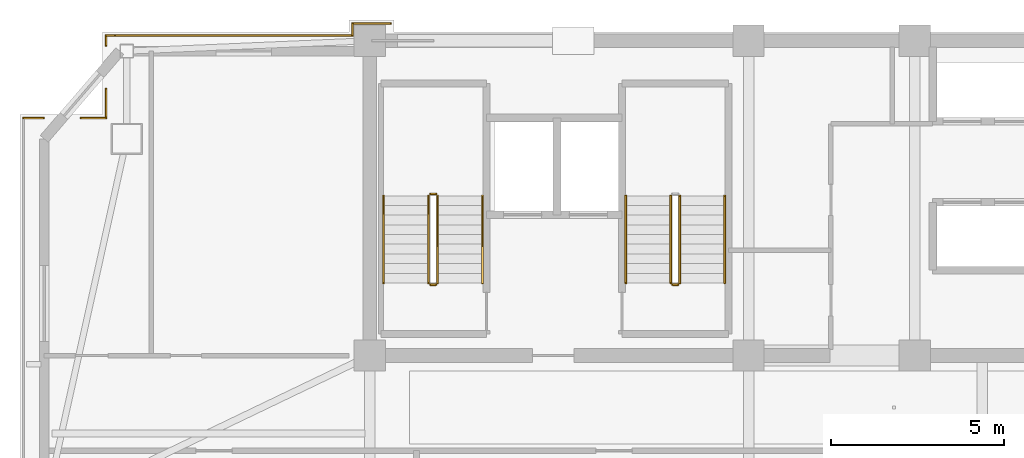
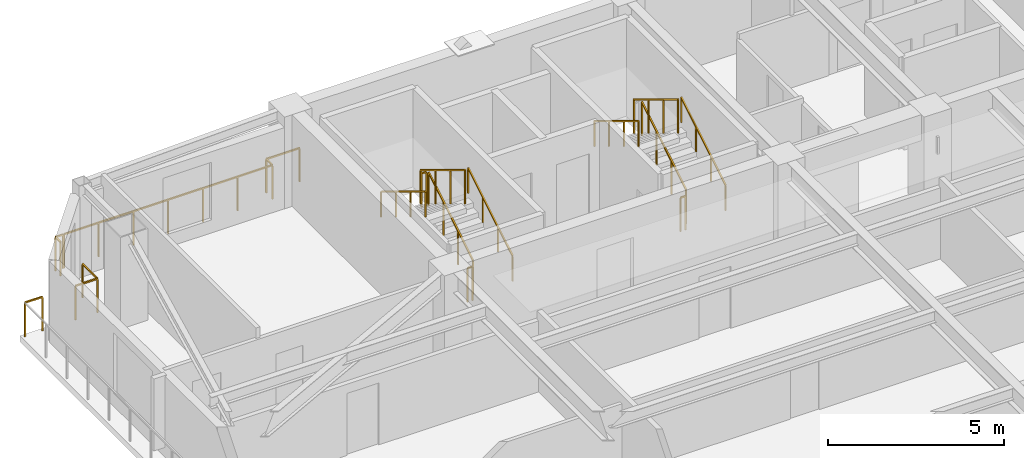
# One storey, part 11 of 13: 19 railings.
"""IFC4 building model written with IfcOpenShell, lengths in metres."""

from ifc_helpers import new_model, si_unit, direction, frame, origin, origin_2d, place, context, subcontext, project, spatial, rectangle, extrude, material, type_object, element, save


model = new_model("IFC4")

# Units and contexts
model_context = context("Model", 3, precision=1e-05, world=origin(), true_north=direction((0.0, 1.0)))
body_context = subcontext(model_context, "Body", "Model", "MODEL_VIEW")
ifc_project = project(units=[si_unit("LENGTHUNIT", "METRE"), si_unit("AREAUNIT", "SQUARE_METRE"), si_unit("VOLUMEUNIT", "CUBIC_METRE"), si_unit("PLANEANGLEUNIT", "RADIAN"), si_unit("MASSUNIT", "GRAM", prefix="KILO")], contexts=[model_context])

# Site, building, storey
site_placement = place(None, origin())
site = spatial("IfcSite", under=ifc_project, at=site_placement, CompositionType="ELEMENT")
building_placement = place(site_placement, origin())
building = spatial("IfcBuilding", under=site, at=building_placement, Name="Giltprow Tower", CompositionType="ELEMENT")
storey_placement = place(building_placement, frame((0.0, 0.0, 304.0)))
storey = spatial("IfcBuildingStorey", under=building, at=storey_placement, Name="L78", CompositionType="ELEMENT", Elevation=304.0)

# Railings
ifc_material = material(Name="Anodized bronze", Category="metal")
railing_type_1 = type_object("IfcRailingType", Name="RAIL-BALC-GUARD-1200", PredefinedType="BALUSTRADE", material=ifc_material)
railing_1_placement = place(storey_placement, frame((9.840087890625, 44.31494140625, 0.0)))
element("IfcRailing", 1, at=railing_1_placement, inside=storey, type_object=railing_type_1, Name="L78 Corner Apron Edge Balustrade 14", PredefinedType="BALUSTRADE", context=body_context, shape_type="SweptSolid", body=[
    extrude(rectangle(XDim=0.048095703125, YDim=0.048095703125, at=origin_2d()), frame((0.0, 0.0, 1.17578125), z_axis=(1.0, 0.0, 0.0), x_axis=(0.0, 1.0, 0.0)), (0.0, 0.0, 1.0), 0.575927734375),
    extrude(rectangle(XDim=0.0419921875, YDim=0.0419921875, at=origin_2d()), origin(), (0.0, 0.0, 1.0), 1.15185546875),
    extrude(rectangle(XDim=0.0419921875, YDim=0.0419921875, at=origin_2d()), frame((0.575927734375, 0.0, 0.0)), (0.0, 0.0, 1.0), 1.15185546875),
])
railing_2_placement = place(storey_placement, frame((11.498046875, 44.31494140625, 0.0)))
element("IfcRailing", 2, at=railing_2_placement, inside=storey, type_object=railing_type_1, Name="L78 Corner Apron Edge Balustrade 15", PredefinedType="BALUSTRADE", context=body_context, shape_type="SweptSolid", body=[
    extrude(rectangle(XDim=0.048095703125, YDim=0.048095703125, at=origin_2d()), frame((0.0, 0.0, 1.17578125), z_axis=(1.0, 0.0, 0.0), x_axis=(0.0, 1.0, 0.0)), (0.0, 0.0, 1.0), 0.72705078125),
    extrude(rectangle(XDim=0.0419921875, YDim=0.0419921875, at=origin_2d()), origin(), (0.0, 0.0, 1.0), 1.15185546875),
    extrude(rectangle(XDim=0.0419921875, YDim=0.0419921875, at=origin_2d()), frame((0.72705078125, 0.0, 0.0)), (0.0, 0.0, 1.0), 1.15185546875),
])
railing_3_placement = place(storey_placement, frame((12.22509765625, 44.31494140625, 0.0)))
element("IfcRailing", 3, at=railing_3_placement, inside=storey, type_object=railing_type_1, Name="L78 Corner Apron Edge Balustrade 16", PredefinedType="BALUSTRADE", context=body_context, shape_type="SweptSolid", body=[
    extrude(rectangle(XDim=0.048095703125, YDim=0.048095703125, at=origin_2d()), frame((0.0, 0.0, 1.17578125), z_axis=(0.0, 1.0, 0.0), x_axis=(-1.0, 0.0, 0.0)), (0.0, 0.0, 1.0), 0.843017578125),
    extrude(rectangle(XDim=0.0419921875, YDim=0.0419921875, at=origin_2d()), origin(), (0.0, 0.0, 1.0), 1.15185546875),
    extrude(rectangle(XDim=0.0419921875, YDim=0.0419921875, at=origin_2d()), frame((0.0, 0.843017578125, 0.0)), (0.0, 0.0, 1.0), 1.15185546875),
])
railing_4_placement = place(storey_placement, frame((12.22509765625, 46.4140625, 0.0)))
element("IfcRailing", 4, at=railing_4_placement, inside=storey, type_object=railing_type_1, Name="L78 Corner Apron Edge Balustrade 17", PredefinedType="BALUSTRADE", context=body_context, shape_type="SweptSolid", body=[
    extrude(rectangle(XDim=0.048095703125, YDim=0.048095703125, at=origin_2d()), frame((0.0, 0.0, 1.17578125), z_axis=(0.0, 1.0, 0.0), x_axis=(-1.0, 0.0, 0.0)), (0.0, 0.0, 1.0), 0.285888671875),
    extrude(rectangle(XDim=0.0419921875, YDim=0.0419921875, at=origin_2d()), origin(), (0.0, 0.0, 1.0), 1.15185546875),
    extrude(rectangle(XDim=0.0419921875, YDim=0.0419921875, at=origin_2d()), frame((0.0, 0.285888671875, 0.0)), (0.0, 0.0, 1.0), 1.15185546875),
])
railing_5_placement = place(storey_placement, frame((12.22509765625, 46.699951171875, 0.0)))
element("IfcRailing", 5, at=railing_5_placement, inside=storey, type_object=railing_type_1, Name="L78 Corner Apron Edge Balustrade 18", PredefinedType="BALUSTRADE", context=body_context, shape_type="SweptSolid", body=[
    extrude(rectangle(XDim=0.048095703125, YDim=0.048095703125, at=origin_2d()), frame((0.0, 0.0, 1.17578125), z_axis=(1.0, 0.0, 0.0), x_axis=(0.0, 1.0, 0.0)), (0.0, 0.0, 1.0), 0.246826171875),
    extrude(rectangle(XDim=0.0419921875, YDim=0.0419921875, at=origin_2d()), origin(), (0.0, 0.0, 1.0), 1.15185546875),
    extrude(rectangle(XDim=0.0419921875, YDim=0.0419921875, at=origin_2d()), frame((0.246826171875, 0.0, 0.0)), (0.0, 0.0, 1.0), 1.15185546875),
])
railing_6_placement = place(storey_placement, frame((12.5009765625, 46.699951171875, 0.0)))
element("IfcRailing", 6, at=railing_6_placement, inside=storey, type_object=railing_type_1, Name="L78 Corner Apron Edge Balustrade 19", PredefinedType="BALUSTRADE", context=body_context, shape_type="SweptSolid", body=[
    extrude(rectangle(XDim=0.048095703125, YDim=0.048095703125, at=origin_2d()), frame((0.0, 0.0, 1.17578125), z_axis=(1.0, 0.0, 0.0), x_axis=(0.0, 1.0, 0.0)), (0.0, 0.0, 1.0), 6.84912109375),
    extrude(rectangle(XDim=0.0419921875, YDim=0.0419921875, at=origin_2d()), origin(), (0.0, 0.0, 1.0), 1.15185546875),
    extrude(rectangle(XDim=0.0419921875, YDim=0.0419921875, at=origin_2d()), frame((1.1416015625, 0.0, 0.0)), (0.0, 0.0, 1.0), 1.15185546875),
    extrude(rectangle(XDim=0.0419921875, YDim=0.0419921875, at=origin_2d()), frame((2.282958984375, 0.0, 0.0)), (0.0, 0.0, 1.0), 1.15185546875),
    extrude(rectangle(XDim=0.0419921875, YDim=0.0419921875, at=origin_2d()), frame((3.424560546875, 0.0, 0.0)), (0.0, 0.0, 1.0), 1.15185546875),
    extrude(rectangle(XDim=0.0419921875, YDim=0.0419921875, at=origin_2d()), frame((4.566162109375, 0.0, 0.0)), (0.0, 0.0, 1.0), 1.15185546875),
    extrude(rectangle(XDim=0.0419921875, YDim=0.0419921875, at=origin_2d()), frame((5.70751953125, 0.0, 0.0)), (0.0, 0.0, 1.0), 1.15185546875),
    extrude(rectangle(XDim=0.0419921875, YDim=0.0419921875, at=origin_2d()), frame((6.84912109375, 0.0, 0.0)), (0.0, 0.0, 1.0), 1.15185546875),
])
railing_7_placement = place(storey_placement, frame((19.35009765625, 46.699951171875, 0.0)))
element("IfcRailing", 7, at=railing_7_placement, inside=storey, type_object=railing_type_1, Name="L78 Corner Apron Edge Balustrade 20", PredefinedType="BALUSTRADE", context=body_context, shape_type="SweptSolid", body=[
    extrude(rectangle(XDim=0.048095703125, YDim=0.048095703125, at=origin_2d()), frame((0.0, 0.0, 1.17578125), z_axis=(0.0, 1.0, 0.0), x_axis=(-1.0, 0.0, 0.0)), (0.0, 0.0, 1.0), 0.35009765625),
    extrude(rectangle(XDim=0.0419921875, YDim=0.0419921875, at=origin_2d()), origin(), (0.0, 0.0, 1.0), 1.15185546875),
    extrude(rectangle(XDim=0.0419921875, YDim=0.0419921875, at=origin_2d()), frame((0.0, 0.35009765625, 0.0)), (0.0, 0.0, 1.0), 1.15185546875),
])
railing_8_placement = place(storey_placement, frame((19.35009765625, 47.050048828125, 0.0)))
element("IfcRailing", 8, at=railing_8_placement, inside=storey, type_object=railing_type_1, Name="L78 Corner Apron Edge Balustrade 21", PredefinedType="BALUSTRADE", context=body_context, shape_type="SweptSolid", body=[
    extrude(rectangle(XDim=0.048095703125, YDim=0.048095703125, at=origin_2d()), frame((0.0, 0.0, 1.17578125), z_axis=(1.0, 0.0, 0.0), x_axis=(0.0, 1.0, 0.0)), (0.0, 0.0, 1.0), 1.099853515625),
    extrude(rectangle(XDim=0.0419921875, YDim=0.0419921875, at=origin_2d()), origin(), (0.0, 0.0, 1.0), 1.15185546875),
    extrude(rectangle(XDim=0.0419921875, YDim=0.0419921875, at=origin_2d()), frame((1.099853515625, 0.0, 0.0)), (0.0, 0.0, 1.0), 1.15185546875),
])
railing_type_2 = type_object("IfcRailingType", Name="RAIL-STAIR-GUARD-1200", PredefinedType="GUARDRAIL", material=ifc_material)
railing_9_placement = place(storey_placement, frame((21.81005859375, 39.550048828125, 0.169921875)))
element("IfcRailing", 9, at=railing_9_placement, inside=storey, type_object=railing_type_2, Name="L78 ST-1 stair guard 1", PredefinedType="GUARDRAIL", context=body_context, shape_type="SweptSolid", body=[
    extrude(rectangle(XDim=0.048095703125, YDim=0.048095703125, at=origin_2d()), frame((0.0, 0.0, 1.17578125), z_axis=(0.0, 0.85478489116, 0.518982456201), x_axis=(-1.0, 0.0, 0.0)), (0.0, 0.0, 1.0), 2.9482421875),
    extrude(rectangle(XDim=0.0419921875, YDim=0.0419921875, at=origin_2d()), origin(), (0.0, 0.0, 1.0), 1.15185546875),
    extrude(rectangle(XDim=0.0419921875, YDim=0.0419921875, at=origin_2d()), frame((0.0, 0.840087890625, 0.510009765625)), (0.0, 0.0, 1.0), 1.15185546875),
    extrude(rectangle(XDim=0.0419921875, YDim=0.0419921875, at=origin_2d()), frame((0.0, 1.679931640625, 1.02001953125)), (0.0, 0.0, 1.0), 1.15185546875),
    extrude(rectangle(XDim=0.0419921875, YDim=0.0419921875, at=origin_2d()), frame((0.0, 2.52001953125, 1.530029296875)), (0.0, 0.0, 1.0), 1.15185546875),
])
railing_10_placement = place(storey_placement, frame((21.760009765625, 42.1201171875, 1.699951171875)))
element("IfcRailing", 10, at=railing_10_placement, inside=storey, type_object=railing_type_2, Name="L78 ST-1 stair guard 2", PredefinedType="GUARDRAIL", context=body_context, shape_type="SweptSolid", body=[
    extrude(rectangle(XDim=0.048095703125, YDim=0.048095703125, at=origin_2d()), frame((0.0, 0.0, 1.17578125), z_axis=(-1.0, 0.0, 0.0), x_axis=(0.0, -1.0, 0.0)), (0.0, 0.0, 1.0), 0.159912109375),
    extrude(rectangle(XDim=0.0419921875, YDim=0.0419921875, at=origin_2d()), origin(), (0.0, 0.0, 1.0), 1.15185546875),
    extrude(rectangle(XDim=0.0419921875, YDim=0.0419921875, at=origin_2d()), frame((-0.159912109375, 0.0, 0.0)), (0.0, 0.0, 1.0), 1.15185546875),
])
railing_11_placement = place(storey_placement, frame((21.550048828125, 42.070068359375, 1.8701171875)))
element("IfcRailing", 11, at=railing_11_placement, inside=storey, type_object=railing_type_2, Name="L78 ST-1 stair guard 3", PredefinedType="GUARDRAIL", context=body_context, shape_type="SweptSolid", body=[
    extrude(rectangle(XDim=0.048095703125, YDim=0.048095703125, at=origin_2d()), frame((0.0, 0.0, 1.17578125), z_axis=(0.0, -0.854821627497, 0.518921945155), x_axis=(1.0, 0.0, 0.0)), (0.0, 0.0, 1.0), 2.947998046875),
    extrude(rectangle(XDim=0.0419921875, YDim=0.0419921875, at=origin_2d()), origin(), (0.0, 0.0, 1.0), 1.15185546875),
    extrude(rectangle(XDim=0.0419921875, YDim=0.0419921875, at=origin_2d()), frame((0.0, -0.840087890625, 0.510009765625)), (0.0, 0.0, 1.0), 1.15185546875),
    extrude(rectangle(XDim=0.0419921875, YDim=0.0419921875, at=origin_2d()), frame((0.0, -1.679931640625, 1.019775390625)), (0.0, 0.0, 1.0), 1.15185546875),
    extrude(rectangle(XDim=0.0419921875, YDim=0.0419921875, at=origin_2d()), frame((0.0, -2.52001953125, 1.52978515625)), (0.0, 0.0, 1.0), 1.15185546875),
])
railing_12_placement = place(storey_placement, frame((21.760009765625, 39.5, 0.0)))
element("IfcRailing", 12, at=railing_12_placement, inside=storey, type_object=railing_type_2, Name="L78 ST-1 stair guard 4", PredefinedType="GUARDRAIL", context=body_context, shape_type="SweptSolid", body=[
    extrude(rectangle(XDim=0.048095703125, YDim=0.048095703125, at=origin_2d()), frame((0.0, 0.0, 1.17578125), z_axis=(-1.0, 0.0, 0.0), x_axis=(0.0, -1.0, 0.0)), (0.0, 0.0, 1.0), 0.159912109375),
    extrude(rectangle(XDim=0.0419921875, YDim=0.0419921875, at=origin_2d()), origin(), (0.0, 0.0, 1.0), 1.15185546875),
    extrude(rectangle(XDim=0.0419921875, YDim=0.0419921875, at=origin_2d()), frame((-0.159912109375, 0.0, 0.0)), (0.0, 0.0, 1.0), 1.15185546875),
])
railing_13_placement = place(storey_placement, frame((28.81005859375, 39.550048828125, 0.169921875)))
element("IfcRailing", 13, at=railing_13_placement, inside=storey, type_object=railing_type_2, Name="L78 ST-2 stair guard 1", PredefinedType="GUARDRAIL", context=body_context, shape_type="SweptSolid", body=[
    extrude(rectangle(XDim=0.048095703125, YDim=0.048095703125, at=origin_2d()), frame((0.0, 0.0, 1.17578125), z_axis=(0.0, 0.85478489116, 0.518982456201), x_axis=(-1.0, 0.0, 0.0)), (0.0, 0.0, 1.0), 2.9482421875),
    extrude(rectangle(XDim=0.0419921875, YDim=0.0419921875, at=origin_2d()), origin(), (0.0, 0.0, 1.0), 1.15185546875),
    extrude(rectangle(XDim=0.0419921875, YDim=0.0419921875, at=origin_2d()), frame((0.0, 0.840087890625, 0.510009765625)), (0.0, 0.0, 1.0), 1.15185546875),
    extrude(rectangle(XDim=0.0419921875, YDim=0.0419921875, at=origin_2d()), frame((0.0, 1.679931640625, 1.02001953125)), (0.0, 0.0, 1.0), 1.15185546875),
    extrude(rectangle(XDim=0.0419921875, YDim=0.0419921875, at=origin_2d()), frame((0.0, 2.52001953125, 1.530029296875)), (0.0, 0.0, 1.0), 1.15185546875),
])
railing_14_placement = place(storey_placement, frame((28.550048828125, 42.070068359375, 1.8701171875)))
element("IfcRailing", 14, at=railing_14_placement, inside=storey, type_object=railing_type_2, Name="L78 ST-2 stair guard 3", PredefinedType="GUARDRAIL", context=body_context, shape_type="SweptSolid", body=[
    extrude(rectangle(XDim=0.048095703125, YDim=0.048095703125, at=origin_2d()), frame((0.0, 0.0, 1.17578125), z_axis=(0.0, -0.854821627497, 0.518921945155), x_axis=(1.0, 0.0, 0.0)), (0.0, 0.0, 1.0), 2.947998046875),
    extrude(rectangle(XDim=0.0419921875, YDim=0.0419921875, at=origin_2d()), origin(), (0.0, 0.0, 1.0), 1.15185546875),
    extrude(rectangle(XDim=0.0419921875, YDim=0.0419921875, at=origin_2d()), frame((0.0, -0.840087890625, 0.510009765625)), (0.0, 0.0, 1.0), 1.15185546875),
    extrude(rectangle(XDim=0.0419921875, YDim=0.0419921875, at=origin_2d()), frame((0.0, -1.679931640625, 1.019775390625)), (0.0, 0.0, 1.0), 1.15185546875),
    extrude(rectangle(XDim=0.0419921875, YDim=0.0419921875, at=origin_2d()), frame((0.0, -2.52001953125, 1.52978515625)), (0.0, 0.0, 1.0), 1.15185546875),
])
railing_15_placement = place(storey_placement, frame((28.760009765625, 39.5, 0.0)))
element("IfcRailing", 15, at=railing_15_placement, inside=storey, type_object=railing_type_2, Name="L78 ST-2 stair guard 4", PredefinedType="GUARDRAIL", context=body_context, shape_type="SweptSolid", body=[
    extrude(rectangle(XDim=0.048095703125, YDim=0.048095703125, at=origin_2d()), frame((0.0, 0.0, 1.17578125), z_axis=(-1.0, 0.0, 0.0), x_axis=(0.0, -1.0, 0.0)), (0.0, 0.0, 1.0), 0.159912109375),
    extrude(rectangle(XDim=0.0419921875, YDim=0.0419921875, at=origin_2d()), origin(), (0.0, 0.0, 1.0), 1.15185546875),
    extrude(rectangle(XDim=0.0419921875, YDim=0.0419921875, at=origin_2d()), frame((-0.159912109375, 0.0, 0.0)), (0.0, 0.0, 1.0), 1.15185546875),
])
railing_type_3 = type_object("IfcRailingType", Name="RAIL-STAIR-HAND-900", PredefinedType="HANDRAIL", material=ifc_material)
railing_16_placement = place(storey_placement, frame((23.110107421875, 39.550048828125, 0.169921875)))
element("IfcRailing", 16, at=railing_16_placement, inside=storey, type_object=railing_type_3, Name="L78 ST-1 stair handrail 1", PredefinedType="HANDRAIL", context=body_context, shape_type="SweptSolid", body=[
    extrude(rectangle(XDim=0.048095703125, YDim=0.048095703125, at=origin_2d()), frame((0.0, 0.0, 0.8759765625), z_axis=(0.0, 0.85478489116, 0.518982456201), x_axis=(-1.0, 0.0, 0.0)), (0.0, 0.0, 1.0), 2.9482421875),
    extrude(rectangle(XDim=0.0419921875, YDim=0.0419921875, at=origin_2d()), origin(), (0.0, 0.0, 1.0), 0.851806640625),
    extrude(rectangle(XDim=0.0419921875, YDim=0.0419921875, at=origin_2d()), frame((0.0, 0.840087890625, 0.510009765625)), (0.0, 0.0, 1.0), 0.851806640625),
    extrude(rectangle(XDim=0.0419921875, YDim=0.0419921875, at=origin_2d()), frame((0.0, 1.679931640625, 1.02001953125)), (0.0, 0.0, 1.0), 0.851806640625),
    extrude(rectangle(XDim=0.0419921875, YDim=0.0419921875, at=origin_2d()), frame((0.0, 2.52001953125, 1.530029296875)), (0.0, 0.0, 1.0), 0.851806640625),
])
railing_17_placement = place(storey_placement, frame((20.25, 42.070068359375, 1.8701171875)))
element("IfcRailing", 17, at=railing_17_placement, inside=storey, type_object=railing_type_3, Name="L78 ST-1 stair handrail 2", PredefinedType="HANDRAIL", context=body_context, shape_type="SweptSolid", body=[
    extrude(rectangle(XDim=0.048095703125, YDim=0.048095703125, at=origin_2d()), frame((0.0, 0.0, 0.8759765625), z_axis=(0.0, -0.854821627497, 0.518921945155), x_axis=(1.0, 0.0, 0.0)), (0.0, 0.0, 1.0), 2.947998046875),
    extrude(rectangle(XDim=0.0419921875, YDim=0.0419921875, at=origin_2d()), origin(), (0.0, 0.0, 1.0), 0.851806640625),
    extrude(rectangle(XDim=0.0419921875, YDim=0.0419921875, at=origin_2d()), frame((0.0, -0.840087890625, 0.510009765625)), (0.0, 0.0, 1.0), 0.851806640625),
    extrude(rectangle(XDim=0.0419921875, YDim=0.0419921875, at=origin_2d()), frame((0.0, -1.679931640625, 1.019775390625)), (0.0, 0.0, 1.0), 0.851806640625),
    extrude(rectangle(XDim=0.0419921875, YDim=0.0419921875, at=origin_2d()), frame((0.0, -2.52001953125, 1.52978515625)), (0.0, 0.0, 1.0), 0.851806640625),
])
railing_18_placement = place(storey_placement, frame((30.110107421875, 39.550048828125, 0.169921875)))
element("IfcRailing", 18, at=railing_18_placement, inside=storey, type_object=railing_type_3, Name="L78 ST-2 stair handrail 1", PredefinedType="HANDRAIL", context=body_context, shape_type="SweptSolid", body=[
    extrude(rectangle(XDim=0.048095703125, YDim=0.048095703125, at=origin_2d()), frame((0.0, 0.0, 0.8759765625), z_axis=(0.0, 0.85478489116, 0.518982456201), x_axis=(-1.0, 0.0, 0.0)), (0.0, 0.0, 1.0), 2.9482421875),
    extrude(rectangle(XDim=0.0419921875, YDim=0.0419921875, at=origin_2d()), origin(), (0.0, 0.0, 1.0), 0.851806640625),
    extrude(rectangle(XDim=0.0419921875, YDim=0.0419921875, at=origin_2d()), frame((0.0, 0.840087890625, 0.510009765625)), (0.0, 0.0, 1.0), 0.851806640625),
    extrude(rectangle(XDim=0.0419921875, YDim=0.0419921875, at=origin_2d()), frame((0.0, 1.679931640625, 1.02001953125)), (0.0, 0.0, 1.0), 0.851806640625),
    extrude(rectangle(XDim=0.0419921875, YDim=0.0419921875, at=origin_2d()), frame((0.0, 2.52001953125, 1.530029296875)), (0.0, 0.0, 1.0), 0.851806640625),
])
railing_19_placement = place(storey_placement, frame((27.25, 42.070068359375, 1.8701171875)))
element("IfcRailing", 19, at=railing_19_placement, inside=storey, type_object=railing_type_3, Name="L78 ST-2 stair handrail 2", PredefinedType="HANDRAIL", context=body_context, shape_type="SweptSolid", body=[
    extrude(rectangle(XDim=0.048095703125, YDim=0.048095703125, at=origin_2d()), frame((0.0, 0.0, 0.8759765625), z_axis=(0.0, -0.854821627497, 0.518921945155), x_axis=(1.0, 0.0, 0.0)), (0.0, 0.0, 1.0), 2.947998046875),
    extrude(rectangle(XDim=0.0419921875, YDim=0.0419921875, at=origin_2d()), origin(), (0.0, 0.0, 1.0), 0.851806640625),
    extrude(rectangle(XDim=0.0419921875, YDim=0.0419921875, at=origin_2d()), frame((0.0, -0.840087890625, 0.510009765625)), (0.0, 0.0, 1.0), 0.851806640625),
    extrude(rectangle(XDim=0.0419921875, YDim=0.0419921875, at=origin_2d()), frame((0.0, -1.679931640625, 1.019775390625)), (0.0, 0.0, 1.0), 0.851806640625),
    extrude(rectangle(XDim=0.0419921875, YDim=0.0419921875, at=origin_2d()), frame((0.0, -2.52001953125, 1.52978515625)), (0.0, 0.0, 1.0), 0.851806640625),
])

save(model, "model.ifc")
